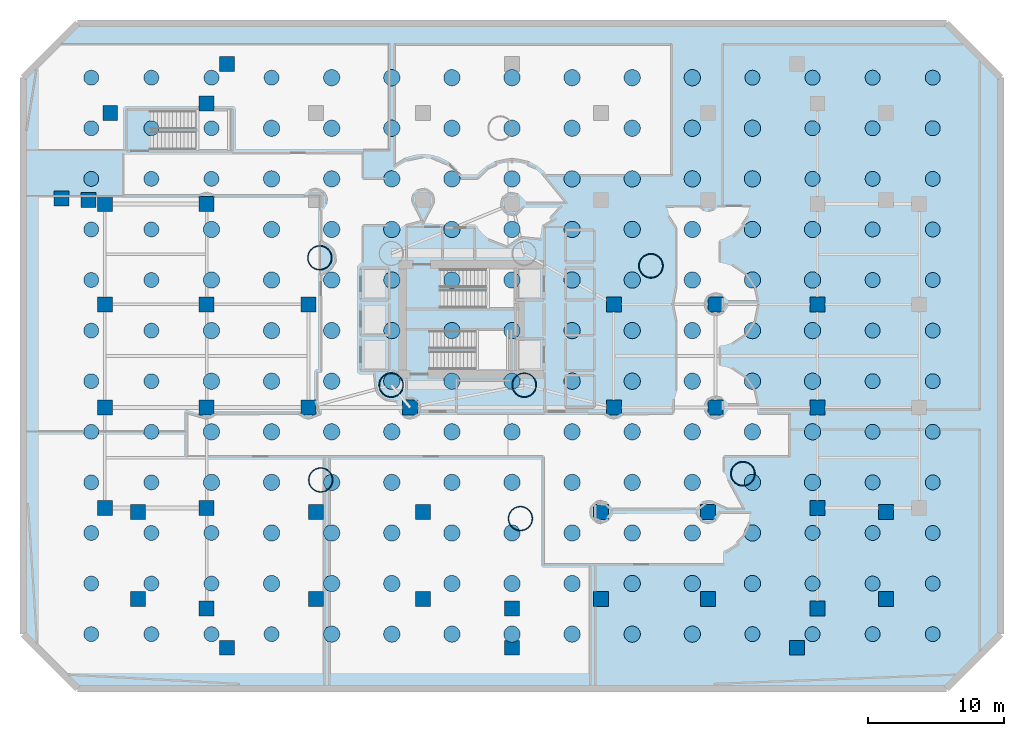
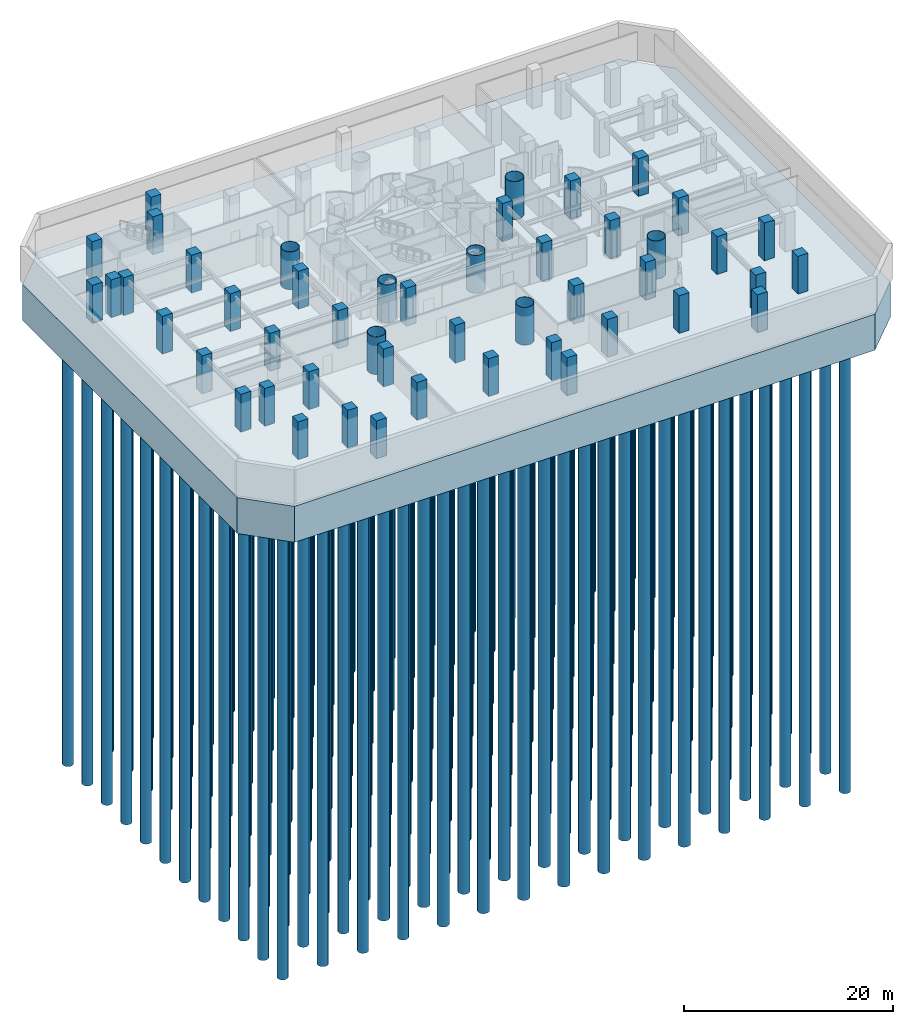
# One storey, part 1 of 13: 180 piles, 48 columns, 1 footing.
"""IFC4 building model written with IfcOpenShell, lengths in metres."""

from ifc_helpers import new_model, si_unit, direction, frame, origin, origin_2d, place, context, subcontext, project, spatial, polyline, rectangle, circle, hollow_circle, outline, extrude, material, material_profile, profile_set, type_object, element, save


model = new_model("IFC4")

# Units and contexts
model_context = context("Model", 3, precision=1e-05, world=origin(), true_north=direction((0.0, 1.0)))
body_context = subcontext(model_context, "Body", "Model", "MODEL_VIEW")
ifc_project = project(units=[si_unit("LENGTHUNIT", "METRE"), si_unit("AREAUNIT", "SQUARE_METRE"), si_unit("VOLUMEUNIT", "CUBIC_METRE"), si_unit("PLANEANGLEUNIT", "RADIAN"), si_unit("MASSUNIT", "GRAM", prefix="KILO")], contexts=[model_context])

# Site, building, storey
site_placement = place(None, origin())
site = spatial("IfcSite", under=ifc_project, at=site_placement, CompositionType="ELEMENT")
building_placement = place(site_placement, origin())
building = spatial("IfcBuilding", under=site, at=building_placement, Name="Qianvela Tower", CompositionType="ELEMENT")
storey_placement = place(building_placement, frame((0.0, 0.0, -10.0)))
storey = spatial("IfcBuildingStorey", under=building, at=storey_placement, Name="B02", CompositionType="ELEMENT", Elevation=-10.0)

# Footing
ifc_material_1 = material(Name="Concrete C50", Category="concrete")
footing_type = type_object("IfcFootingType", Name="FT-RAFT-4200", PredefinedType="PILE_CAP", material=ifc_material_1)
footing_placement = place(storey_placement, frame((0.0, 0.0, -4.60009765625)))
element("IfcFooting", 1, at=footing_placement, inside=storey, type_object=footing_type, Name="B02 Variable-Stiffness Piled Foundation Raft", PredefinedType="PILE_CAP", context=body_context, shape_type="SweptSolid", body=[
    extrude(outline(polyline([(5.5, 1.5), (69.5, 1.5), (73.5, 5.5), (73.5, 46.5), (69.5, 50.5), (5.5, 50.5), (1.5, 46.5), (1.5, 5.5), (5.5, 1.5)])), origin(), (0.0, 0.0, 1.0), 4.2001953125),
])

# Piles
ifc_material_2 = material(Name="Concrete C45", Category="concrete")
ifc_material_profile_1 = material_profile(ifc_material_2, circle(Radius=0.550048828125, at=origin_2d()), Name="BP-1100")
ifc_profile_set_1 = profile_set([ifc_material_profile_1], Name="Concrete C45")
pile_type_1 = type_object("IfcPileType", Name="PL-BP1100", PredefinedType="BORED", material=ifc_profile_set_1)
for number, where, z_axis, x_axis, name in (
    (2, (6.5, 5.5, -4.5), (0.0, 0.0, -1.0), (1.0, 0.0, 0.0), "B02 Post-Grouted Bored Pile PILE-01-01"),
    (3, (6.5, 9.22705078125, -4.5), (0.0, 0.0, -1.0), (1.0, 0.0, 0.0), "B02 Post-Grouted Bored Pile PILE-01-02"),
    (4, (6.5, 12.955078125, -4.5), (0.0, 0.0, -1.0), (1.0, 0.0, 0.0), "B02 Post-Grouted Bored Pile PILE-01-03"),
    (5, (6.5, 16.681884765625, -4.5), (0.0, 0.0, -1.0), (1.0, 0.0, 0.0), "B02 Post-Grouted Bored Pile PILE-01-04"),
    (6, (6.5, 20.408935546875, -4.5), (0.0, 0.0, -1.0), (1.0, 0.0, 0.0), "B02 Post-Grouted Bored Pile PILE-01-05"),
    (7, (6.5, 24.135986328125, -4.5), (0.0, 0.0, -1.0), (1.0, 0.0, 0.0), "B02 Post-Grouted Bored Pile PILE-01-06"),
    (8, (6.5, 27.864013671875, -4.5), (0.0, 0.0, -1.0), (1.0, 0.0, 0.0), "B02 Post-Grouted Bored Pile PILE-01-07"),
    (9, (6.5, 31.591064453125, -4.5), (0.0, 0.0, -1.0), (1.0, 0.0, 0.0), "B02 Post-Grouted Bored Pile PILE-01-08"),
    (10, (6.5, 35.318115234375, -4.5), (0.0, 0.0, -1.0), (1.0, 0.0, 0.0), "B02 Post-Grouted Bored Pile PILE-01-09"),
    (11, (6.5, 39.044921875, -4.5), (0.0, 0.0, -1.0), (1.0, 0.0, 0.0), "B02 Post-Grouted Bored Pile PILE-01-10"),
    (12, (6.5, 42.77294921875, -4.5), (0.0, 0.0, -1.0), (1.0, 0.0, 0.0), "B02 Post-Grouted Bored Pile PILE-01-11"),
    (13, (6.5, 46.5, -4.5), (0.0, 0.0, -1.0), (1.0, 0.0, 0.0), "B02 Post-Grouted Bored Pile PILE-01-12"),
    (14, (10.928955078125, 5.5, -4.5), (0.0, 0.0, -1.0), (1.0, 0.0, 0.0), "B02 Post-Grouted Bored Pile PILE-02-01"),
    (15, (10.928955078125, 9.22705078125, -4.5), (0.0, 0.0, -1.0), (1.0, 0.0, 0.0), "B02 Post-Grouted Bored Pile PILE-02-02"),
    (16, (10.928955078125, 12.955078125, -4.5), (0.0, 0.0, -1.0), (1.0, 0.0, 0.0), "B02 Post-Grouted Bored Pile PILE-02-03"),
    (17, (10.928955078125, 16.681884765625, -4.5), (0.0, 0.0, -1.0), (1.0, 0.0, 0.0), "B02 Post-Grouted Bored Pile PILE-02-04"),
    (18, (10.928955078125, 20.408935546875, -4.5), (0.0, 0.0, -1.0), (1.0, 0.0, 0.0), "B02 Post-Grouted Bored Pile PILE-02-05"),
    (19, (10.928955078125, 24.135986328125, -4.5), (0.0, 0.0, -1.0), (1.0, 0.0, 0.0), "B02 Post-Grouted Bored Pile PILE-02-06"),
    (20, (10.928955078125, 27.864013671875, -4.5), (0.0, 0.0, -1.0), (1.0, 0.0, 0.0), "B02 Post-Grouted Bored Pile PILE-02-07"),
    (21, (10.928955078125, 31.591064453125, -4.5), (0.0, 0.0, -1.0), (1.0, 0.0, 0.0), "B02 Post-Grouted Bored Pile PILE-02-08"),
    (22, (10.928955078125, 35.318115234375, -4.5), (0.0, 0.0, -1.0), (1.0, 0.0, 0.0), "B02 Post-Grouted Bored Pile PILE-02-09"),
    (23, (10.928955078125, 39.044921875, -4.5), (0.0, 0.0, -1.0), (1.0, 0.0, 0.0), "B02 Post-Grouted Bored Pile PILE-02-10"),
    (24, (10.928955078125, 42.77294921875, -4.5), (0.0, 0.0, -1.0), (1.0, 0.0, 0.0), "B02 Post-Grouted Bored Pile PILE-02-11"),
    (25, (10.928955078125, 46.5, -4.5), (0.0, 0.0, -1.0), (1.0, 0.0, 0.0), "B02 Post-Grouted Bored Pile PILE-02-12"),
    (26, (15.35693359375, 5.5, -4.5), (0.0, 0.0, -1.0), (1.0, 0.0, 0.0), "B02 Post-Grouted Bored Pile PILE-03-01"),
    (27, (15.35693359375, 9.22705078125, -4.5), (0.0, 0.0, -1.0), (1.0, 0.0, 0.0), "B02 Post-Grouted Bored Pile PILE-03-02"),
    (28, (15.35693359375, 12.955078125, -4.5), (0.0, 0.0, -1.0), (1.0, 0.0, 0.0), "B02 Post-Grouted Bored Pile PILE-03-03"),
    (29, (15.35693359375, 39.044921875, -4.5), (0.0, 0.0, -1.0), (1.0, 0.0, 0.0), "B02 Post-Grouted Bored Pile PILE-03-10"),
    (30, (15.35693359375, 42.77294921875, -4.5), (0.0, 0.0, -1.0), (1.0, 0.0, 0.0), "B02 Post-Grouted Bored Pile PILE-03-11"),
    (31, (15.35693359375, 46.5, -4.5), (0.0, 0.0, -1.0), (1.0, 0.0, 0.0), "B02 Post-Grouted Bored Pile PILE-03-12"),
    (32, (19.785888671875, 5.5, -4.5), (0.0, 0.0, -1.0), (1.0, 0.0, 0.0), "B02 Post-Grouted Bored Pile PILE-04-01"),
    (33, (19.785888671875, 46.5, -4.5), (0.0, 0.0, -1.0), (1.0, 0.0, 0.0), "B02 Post-Grouted Bored Pile PILE-04-12"),
    (34, (55.214111328125, 5.5, -4.5), (0.0, 0.0, -1.0), (1.0, 0.0, 0.0), "B02 Post-Grouted Bored Pile PILE-12-01"),
    (35, (55.214111328125, 46.5, -4.5), (0.0, 0.0, -1.0), (1.0, 0.0, 0.0), "B02 Post-Grouted Bored Pile PILE-12-12"),
    (36, (59.64306640625, 5.5, -4.5), (0.0, 0.0, -1.0), (1.0, 0.0, 0.0), "B02 Post-Grouted Bored Pile PILE-13-01"),
    (37, (59.64306640625, 9.22705078125, -4.5), (0.0, 0.0, -1.0), (1.0, 0.0, 0.0), "B02 Post-Grouted Bored Pile PILE-13-02"),
    (38, (59.64306640625, 12.955078125, -4.5), (0.0, 0.0, -1.0), (1.0, 0.0, 0.0), "B02 Post-Grouted Bored Pile PILE-13-03"),
    (39, (59.64306640625, 39.044921875, -4.5), (0.0, 0.0, -1.0), (1.0, 0.0, 0.0), "B02 Post-Grouted Bored Pile PILE-13-10"),
    (40, (59.64306640625, 42.77294921875, -4.5), (0.0, 0.0, -1.0), (1.0, 0.0, 0.0), "B02 Post-Grouted Bored Pile PILE-13-11"),
    (41, (59.64306640625, 46.5, -4.5), (0.0, 0.0, -1.0), (1.0, 0.0, 0.0), "B02 Post-Grouted Bored Pile PILE-13-12"),
    (42, (64.071044921875, 5.5, -4.5), (0.0, 0.0, -1.0), (1.0, 0.0, 0.0), "B02 Post-Grouted Bored Pile PILE-14-01"),
    (43, (64.071044921875, 9.22705078125, -4.5), (0.0, 0.0, -1.0), (1.0, 0.0, 0.0), "B02 Post-Grouted Bored Pile PILE-14-02"),
    (44, (64.071044921875, 12.955078125, -4.5), (0.0, 0.0, -1.0), (1.0, 0.0, 0.0), "B02 Post-Grouted Bored Pile PILE-14-03"),
    (45, (64.071044921875, 16.681884765625, -4.5), (0.0, 0.0, -1.0), (1.0, 0.0, 0.0), "B02 Post-Grouted Bored Pile PILE-14-04"),
    (46, (64.071044921875, 20.408935546875, -4.5), (0.0, 0.0, -1.0), (1.0, 0.0, 0.0), "B02 Post-Grouted Bored Pile PILE-14-05"),
    (47, (64.071044921875, 24.135986328125, -4.5), (0.0, 0.0, -1.0), (1.0, 0.0, 0.0), "B02 Post-Grouted Bored Pile PILE-14-06"),
    (48, (64.071044921875, 27.864013671875, -4.5), (0.0, 0.0, -1.0), (1.0, 0.0, 0.0), "B02 Post-Grouted Bored Pile PILE-14-07"),
    (49, (64.071044921875, 31.591064453125, -4.5), (0.0, 0.0, -1.0), (1.0, 0.0, 0.0), "B02 Post-Grouted Bored Pile PILE-14-08"),
    (50, (64.071044921875, 35.318115234375, -4.5), (0.0, 0.0, -1.0), (1.0, 0.0, 0.0), "B02 Post-Grouted Bored Pile PILE-14-09"),
    (51, (64.071044921875, 39.044921875, -4.5), (0.0, 0.0, -1.0), (1.0, 0.0, 0.0), "B02 Post-Grouted Bored Pile PILE-14-10"),
    (52, (64.071044921875, 42.77294921875, -4.5), (0.0, 0.0, -1.0), (1.0, 0.0, 0.0), "B02 Post-Grouted Bored Pile PILE-14-11"),
    (53, (64.071044921875, 46.5, -4.5), (0.0, 0.0, -1.0), (1.0, 0.0, 0.0), "B02 Post-Grouted Bored Pile PILE-14-12"),
    (54, (68.5, 5.5, -4.5), (0.0, 0.0, -1.0), (1.0, 0.0, 0.0), "B02 Post-Grouted Bored Pile PILE-15-01"),
    (55, (68.5, 9.22705078125, -4.5), (0.0, 0.0, -1.0), (1.0, 0.0, 0.0), "B02 Post-Grouted Bored Pile PILE-15-02"),
    (56, (68.5, 12.955078125, -4.5), (0.0, 0.0, -1.0), (1.0, 0.0, 0.0), "B02 Post-Grouted Bored Pile PILE-15-03"),
    (57, (68.5, 16.681884765625, -4.5), (0.0, 0.0, -1.0), (1.0, 0.0, 0.0), "B02 Post-Grouted Bored Pile PILE-15-04"),
    (58, (68.5, 20.408935546875, -4.5), (0.0, 0.0, -1.0), (1.0, 0.0, 0.0), "B02 Post-Grouted Bored Pile PILE-15-05"),
    (59, (68.5, 24.135986328125, -4.5), (0.0, 0.0, -1.0), (1.0, 0.0, 0.0), "B02 Post-Grouted Bored Pile PILE-15-06"),
    (60, (68.5, 27.864013671875, -4.5), (0.0, 0.0, -1.0), (1.0, 0.0, 0.0), "B02 Post-Grouted Bored Pile PILE-15-07"),
    (61, (68.5, 31.591064453125, -4.5), (0.0, 0.0, -1.0), (1.0, 0.0, 0.0), "B02 Post-Grouted Bored Pile PILE-15-08"),
    (62, (68.5, 35.318115234375, -4.5), (0.0, 0.0, -1.0), (1.0, 0.0, 0.0), "B02 Post-Grouted Bored Pile PILE-15-09"),
    (63, (68.5, 39.044921875, -4.5), (0.0, 0.0, -1.0), (1.0, 0.0, 0.0), "B02 Post-Grouted Bored Pile PILE-15-10"),
    (64, (68.5, 42.77294921875, -4.5), (0.0, 0.0, -1.0), (1.0, 0.0, 0.0), "B02 Post-Grouted Bored Pile PILE-15-11"),
    (65, (68.5, 46.5, -4.5), (0.0, 0.0, -1.0), (1.0, 0.0, 0.0), "B02 Post-Grouted Bored Pile PILE-15-12"),
):
    element("IfcPile", number, at=place(storey_placement, frame(where, z_axis=z_axis, x_axis=x_axis)), inside=storey, type_object=pile_type_1, Name=name, PredefinedType="BORED", context=body_context, shape_type="SweptSolid", body=[
        extrude(circle(Radius=0.550048828125, at=origin_2d()), origin(), (0.0, 0.0, 1.0), 53.5),
    ])
ifc_material_3 = material(Name="Concrete C45", Category="concrete")
ifc_material_profile_2 = material_profile(ifc_material_3, circle(Radius=0.60009765625, at=origin_2d()), Name="BP-1200")
ifc_profile_set_2 = profile_set([ifc_material_profile_2], Name="Concrete C45")
pile_type_2 = type_object("IfcPileType", Name="PL-BP1200", PredefinedType="BORED", material=ifc_profile_set_2)
for number, where, z_axis, x_axis, name in (
    (66, (15.35693359375, 16.681884765625, -4.5), (0.0, 0.0, -1.0), (1.0, 0.0, 0.0), "B02 Post-Grouted Bored Pile PILE-03-04"),
    (67, (15.35693359375, 20.408935546875, -4.5), (0.0, 0.0, -1.0), (1.0, 0.0, 0.0), "B02 Post-Grouted Bored Pile PILE-03-05"),
    (68, (15.35693359375, 24.135986328125, -4.5), (0.0, 0.0, -1.0), (1.0, 0.0, 0.0), "B02 Post-Grouted Bored Pile PILE-03-06"),
    (69, (15.35693359375, 27.864013671875, -4.5), (0.0, 0.0, -1.0), (1.0, 0.0, 0.0), "B02 Post-Grouted Bored Pile PILE-03-07"),
    (70, (15.35693359375, 31.591064453125, -4.5), (0.0, 0.0, -1.0), (1.0, 0.0, 0.0), "B02 Post-Grouted Bored Pile PILE-03-08"),
    (71, (15.35693359375, 35.318115234375, -4.5), (0.0, 0.0, -1.0), (1.0, 0.0, 0.0), "B02 Post-Grouted Bored Pile PILE-03-09"),
    (72, (19.785888671875, 9.22705078125, -4.5), (0.0, 0.0, -1.0), (1.0, 0.0, 0.0), "B02 Post-Grouted Bored Pile PILE-04-02"),
    (73, (19.785888671875, 12.955078125, -4.5), (0.0, 0.0, -1.0), (1.0, 0.0, 0.0), "B02 Post-Grouted Bored Pile PILE-04-03"),
    (74, (19.785888671875, 16.681884765625, -4.5), (0.0, 0.0, -1.0), (1.0, 0.0, 0.0), "B02 Post-Grouted Bored Pile PILE-04-04"),
    (75, (19.785888671875, 20.408935546875, -4.5), (0.0, 0.0, -1.0), (1.0, 0.0, 0.0), "B02 Post-Grouted Bored Pile PILE-04-05"),
    (76, (19.785888671875, 24.135986328125, -4.5), (0.0, 0.0, -1.0), (1.0, 0.0, 0.0), "B02 Post-Grouted Bored Pile PILE-04-06"),
    (77, (19.785888671875, 27.864013671875, -4.5), (0.0, 0.0, -1.0), (1.0, 0.0, 0.0), "B02 Post-Grouted Bored Pile PILE-04-07"),
    (78, (19.785888671875, 31.591064453125, -4.5), (0.0, 0.0, -1.0), (1.0, 0.0, 0.0), "B02 Post-Grouted Bored Pile PILE-04-08"),
    (79, (19.785888671875, 35.318115234375, -4.5), (0.0, 0.0, -1.0), (1.0, 0.0, 0.0), "B02 Post-Grouted Bored Pile PILE-04-09"),
    (80, (19.785888671875, 39.044921875, -4.5), (0.0, 0.0, -1.0), (1.0, 0.0, 0.0), "B02 Post-Grouted Bored Pile PILE-04-10"),
    (81, (19.785888671875, 42.77294921875, -4.5), (0.0, 0.0, -1.0), (1.0, 0.0, 0.0), "B02 Post-Grouted Bored Pile PILE-04-11"),
    (82, (24.214111328125, 5.5, -4.5), (0.0, 0.0, -1.0), (1.0, 0.0, 0.0), "B02 Post-Grouted Bored Pile PILE-05-01"),
    (83, (24.214111328125, 9.22705078125, -4.5), (0.0, 0.0, -1.0), (1.0, 0.0, 0.0), "B02 Post-Grouted Bored Pile PILE-05-02"),
    (84, (24.214111328125, 12.955078125, -4.5), (0.0, 0.0, -1.0), (1.0, 0.0, 0.0), "B02 Post-Grouted Bored Pile PILE-05-03"),
    (85, (24.214111328125, 16.681884765625, -4.5), (0.0, 0.0, -1.0), (1.0, 0.0, 0.0), "B02 Post-Grouted Bored Pile PILE-05-04"),
    (86, (24.214111328125, 20.408935546875, -4.5), (0.0, 0.0, -1.0), (1.0, 0.0, 0.0), "B02 Post-Grouted Bored Pile PILE-05-05"),
    (87, (24.214111328125, 24.135986328125, -4.5), (0.0, 0.0, -1.0), (1.0, 0.0, 0.0), "B02 Post-Grouted Bored Pile PILE-05-06"),
    (88, (24.214111328125, 27.864013671875, -4.5), (0.0, 0.0, -1.0), (1.0, 0.0, 0.0), "B02 Post-Grouted Bored Pile PILE-05-07"),
    (89, (24.214111328125, 31.591064453125, -4.5), (0.0, 0.0, -1.0), (1.0, 0.0, 0.0), "B02 Post-Grouted Bored Pile PILE-05-08"),
    (90, (24.214111328125, 35.318115234375, -4.5), (0.0, 0.0, -1.0), (1.0, 0.0, 0.0), "B02 Post-Grouted Bored Pile PILE-05-09"),
    (91, (24.214111328125, 39.044921875, -4.5), (0.0, 0.0, -1.0), (1.0, 0.0, 0.0), "B02 Post-Grouted Bored Pile PILE-05-10"),
    (92, (24.214111328125, 42.77294921875, -4.5), (0.0, 0.0, -1.0), (1.0, 0.0, 0.0), "B02 Post-Grouted Bored Pile PILE-05-11"),
    (93, (24.214111328125, 46.5, -4.5), (0.0, 0.0, -1.0), (1.0, 0.0, 0.0), "B02 Post-Grouted Bored Pile PILE-05-12"),
    (94, (28.64306640625, 5.5, -4.5), (0.0, 0.0, -1.0), (1.0, 0.0, 0.0), "B02 Post-Grouted Bored Pile PILE-06-01"),
    (95, (28.64306640625, 9.22705078125, -4.5), (0.0, 0.0, -1.0), (1.0, 0.0, 0.0), "B02 Post-Grouted Bored Pile PILE-06-02"),
    (96, (28.64306640625, 12.955078125, -4.5), (0.0, 0.0, -1.0), (1.0, 0.0, 0.0), "B02 Post-Grouted Bored Pile PILE-06-03"),
    (97, (28.64306640625, 16.681884765625, -4.5), (0.0, 0.0, -1.0), (1.0, 0.0, 0.0), "B02 Post-Grouted Bored Pile PILE-06-04"),
    (98, (28.64306640625, 20.408935546875, -4.5), (0.0, 0.0, -1.0), (1.0, 0.0, 0.0), "B02 Post-Grouted Bored Pile PILE-06-05"),
    (99, (28.64306640625, 24.135986328125, -4.5), (0.0, 0.0, -1.0), (1.0, 0.0, 0.0), "B02 Post-Grouted Bored Pile PILE-06-06"),
    (100, (28.64306640625, 27.864013671875, -4.5), (0.0, 0.0, -1.0), (1.0, 0.0, 0.0), "B02 Post-Grouted Bored Pile PILE-06-07"),
    (101, (28.64306640625, 31.591064453125, -4.5), (0.0, 0.0, -1.0), (1.0, 0.0, 0.0), "B02 Post-Grouted Bored Pile PILE-06-08"),
    (102, (28.64306640625, 35.318115234375, -4.5), (0.0, 0.0, -1.0), (1.0, 0.0, 0.0), "B02 Post-Grouted Bored Pile PILE-06-09"),
    (103, (28.64306640625, 39.044921875, -4.5), (0.0, 0.0, -1.0), (1.0, 0.0, 0.0), "B02 Post-Grouted Bored Pile PILE-06-10"),
    (104, (28.64306640625, 42.77294921875, -4.5), (0.0, 0.0, -1.0), (1.0, 0.0, 0.0), "B02 Post-Grouted Bored Pile PILE-06-11"),
    (105, (28.64306640625, 46.5, -4.5), (0.0, 0.0, -1.0), (1.0, 0.0, 0.0), "B02 Post-Grouted Bored Pile PILE-06-12"),
    (106, (33.071044921875, 5.5, -4.5), (0.0, 0.0, -1.0), (1.0, 0.0, 0.0), "B02 Post-Grouted Bored Pile PILE-07-01"),
    (107, (33.071044921875, 9.22705078125, -4.5), (0.0, 0.0, -1.0), (1.0, 0.0, 0.0), "B02 Post-Grouted Bored Pile PILE-07-02"),
    (108, (33.071044921875, 12.955078125, -4.5), (0.0, 0.0, -1.0), (1.0, 0.0, 0.0), "B02 Post-Grouted Bored Pile PILE-07-03"),
    (109, (33.071044921875, 16.681884765625, -4.5), (0.0, 0.0, -1.0), (1.0, 0.0, 0.0), "B02 Post-Grouted Bored Pile PILE-07-04"),
    (110, (33.071044921875, 20.408935546875, -4.5), (0.0, 0.0, -1.0), (1.0, 0.0, 0.0), "B02 Post-Grouted Bored Pile PILE-07-05"),
    (111, (33.071044921875, 24.135986328125, -4.5), (0.0, 0.0, -1.0), (1.0, 0.0, 0.0), "B02 Post-Grouted Bored Pile PILE-07-06"),
    (112, (33.071044921875, 27.864013671875, -4.5), (0.0, 0.0, -1.0), (1.0, 0.0, 0.0), "B02 Post-Grouted Bored Pile PILE-07-07"),
    (113, (33.071044921875, 31.591064453125, -4.5), (0.0, 0.0, -1.0), (1.0, 0.0, 0.0), "B02 Post-Grouted Bored Pile PILE-07-08"),
    (114, (33.071044921875, 35.318115234375, -4.5), (0.0, 0.0, -1.0), (1.0, 0.0, 0.0), "B02 Post-Grouted Bored Pile PILE-07-09"),
    (115, (33.071044921875, 39.044921875, -4.5), (0.0, 0.0, -1.0), (1.0, 0.0, 0.0), "B02 Post-Grouted Bored Pile PILE-07-10"),
    (116, (33.071044921875, 42.77294921875, -4.5), (0.0, 0.0, -1.0), (1.0, 0.0, 0.0), "B02 Post-Grouted Bored Pile PILE-07-11"),
    (117, (33.071044921875, 46.5, -4.5), (0.0, 0.0, -1.0), (1.0, 0.0, 0.0), "B02 Post-Grouted Bored Pile PILE-07-12"),
    (118, (37.5, 5.5, -4.5), (0.0, 0.0, -1.0), (1.0, 0.0, 0.0), "B02 Post-Grouted Bored Pile PILE-08-01"),
    (119, (37.5, 9.22705078125, -4.5), (0.0, 0.0, -1.0), (1.0, 0.0, 0.0), "B02 Post-Grouted Bored Pile PILE-08-02"),
    (120, (37.5, 12.955078125, -4.5), (0.0, 0.0, -1.0), (1.0, 0.0, 0.0), "B02 Post-Grouted Bored Pile PILE-08-03"),
    (121, (37.5, 16.681884765625, -4.5), (0.0, 0.0, -1.0), (1.0, 0.0, 0.0), "B02 Post-Grouted Bored Pile PILE-08-04"),
    (122, (37.5, 20.408935546875, -4.5), (0.0, 0.0, -1.0), (1.0, 0.0, 0.0), "B02 Post-Grouted Bored Pile PILE-08-05"),
    (123, (37.5, 24.135986328125, -4.5), (0.0, 0.0, -1.0), (1.0, 0.0, 0.0), "B02 Post-Grouted Bored Pile PILE-08-06"),
    (124, (37.5, 27.864013671875, -4.5), (0.0, 0.0, -1.0), (1.0, 0.0, 0.0), "B02 Post-Grouted Bored Pile PILE-08-07"),
    (125, (37.5, 31.591064453125, -4.5), (0.0, 0.0, -1.0), (1.0, 0.0, 0.0), "B02 Post-Grouted Bored Pile PILE-08-08"),
    (126, (37.5, 35.318115234375, -4.5), (0.0, 0.0, -1.0), (1.0, 0.0, 0.0), "B02 Post-Grouted Bored Pile PILE-08-09"),
    (127, (37.5, 39.044921875, -4.5), (0.0, 0.0, -1.0), (1.0, 0.0, 0.0), "B02 Post-Grouted Bored Pile PILE-08-10"),
    (128, (37.5, 42.77294921875, -4.5), (0.0, 0.0, -1.0), (1.0, 0.0, 0.0), "B02 Post-Grouted Bored Pile PILE-08-11"),
    (129, (37.5, 46.5, -4.5), (0.0, 0.0, -1.0), (1.0, 0.0, 0.0), "B02 Post-Grouted Bored Pile PILE-08-12"),
    (130, (41.928955078125, 5.5, -4.5), (0.0, 0.0, -1.0), (1.0, 0.0, 0.0), "B02 Post-Grouted Bored Pile PILE-09-01"),
    (131, (41.928955078125, 9.22705078125, -4.5), (0.0, 0.0, -1.0), (1.0, 0.0, 0.0), "B02 Post-Grouted Bored Pile PILE-09-02"),
    (132, (41.928955078125, 12.955078125, -4.5), (0.0, 0.0, -1.0), (1.0, 0.0, 0.0), "B02 Post-Grouted Bored Pile PILE-09-03"),
    (133, (41.928955078125, 16.681884765625, -4.5), (0.0, 0.0, -1.0), (1.0, 0.0, 0.0), "B02 Post-Grouted Bored Pile PILE-09-04"),
    (134, (41.928955078125, 20.408935546875, -4.5), (0.0, 0.0, -1.0), (1.0, 0.0, 0.0), "B02 Post-Grouted Bored Pile PILE-09-05"),
    (135, (41.928955078125, 24.135986328125, -4.5), (0.0, 0.0, -1.0), (1.0, 0.0, 0.0), "B02 Post-Grouted Bored Pile PILE-09-06"),
    (136, (41.928955078125, 27.864013671875, -4.5), (0.0, 0.0, -1.0), (1.0, 0.0, 0.0), "B02 Post-Grouted Bored Pile PILE-09-07"),
    (137, (41.928955078125, 31.591064453125, -4.5), (0.0, 0.0, -1.0), (1.0, 0.0, 0.0), "B02 Post-Grouted Bored Pile PILE-09-08"),
    (138, (41.928955078125, 35.318115234375, -4.5), (0.0, 0.0, -1.0), (1.0, 0.0, 0.0), "B02 Post-Grouted Bored Pile PILE-09-09"),
    (139, (41.928955078125, 39.044921875, -4.5), (0.0, 0.0, -1.0), (1.0, 0.0, 0.0), "B02 Post-Grouted Bored Pile PILE-09-10"),
    (140, (41.928955078125, 42.77294921875, -4.5), (0.0, 0.0, -1.0), (1.0, 0.0, 0.0), "B02 Post-Grouted Bored Pile PILE-09-11"),
    (141, (41.928955078125, 46.5, -4.5), (0.0, 0.0, -1.0), (1.0, 0.0, 0.0), "B02 Post-Grouted Bored Pile PILE-09-12"),
    (142, (46.35693359375, 5.5, -4.5), (0.0, 0.0, -1.0), (1.0, 0.0, 0.0), "B02 Post-Grouted Bored Pile PILE-10-01"),
    (143, (46.35693359375, 9.22705078125, -4.5), (0.0, 0.0, -1.0), (1.0, 0.0, 0.0), "B02 Post-Grouted Bored Pile PILE-10-02"),
    (144, (46.35693359375, 12.955078125, -4.5), (0.0, 0.0, -1.0), (1.0, 0.0, 0.0), "B02 Post-Grouted Bored Pile PILE-10-03"),
    (145, (46.35693359375, 16.681884765625, -4.5), (0.0, 0.0, -1.0), (1.0, 0.0, 0.0), "B02 Post-Grouted Bored Pile PILE-10-04"),
    (146, (46.35693359375, 20.408935546875, -4.5), (0.0, 0.0, -1.0), (1.0, 0.0, 0.0), "B02 Post-Grouted Bored Pile PILE-10-05"),
    (147, (46.35693359375, 24.135986328125, -4.5), (0.0, 0.0, -1.0), (1.0, 0.0, 0.0), "B02 Post-Grouted Bored Pile PILE-10-06"),
    (148, (46.35693359375, 27.864013671875, -4.5), (0.0, 0.0, -1.0), (1.0, 0.0, 0.0), "B02 Post-Grouted Bored Pile PILE-10-07"),
    (149, (46.35693359375, 31.591064453125, -4.5), (0.0, 0.0, -1.0), (1.0, 0.0, 0.0), "B02 Post-Grouted Bored Pile PILE-10-08"),
    (150, (46.35693359375, 35.318115234375, -4.5), (0.0, 0.0, -1.0), (1.0, 0.0, 0.0), "B02 Post-Grouted Bored Pile PILE-10-09"),
    (151, (46.35693359375, 39.044921875, -4.5), (0.0, 0.0, -1.0), (1.0, 0.0, 0.0), "B02 Post-Grouted Bored Pile PILE-10-10"),
    (152, (46.35693359375, 42.77294921875, -4.5), (0.0, 0.0, -1.0), (1.0, 0.0, 0.0), "B02 Post-Grouted Bored Pile PILE-10-11"),
    (153, (46.35693359375, 46.5, -4.5), (0.0, 0.0, -1.0), (1.0, 0.0, 0.0), "B02 Post-Grouted Bored Pile PILE-10-12"),
    (154, (50.785888671875, 5.5, -4.5), (0.0, 0.0, -1.0), (1.0, 0.0, 0.0), "B02 Post-Grouted Bored Pile PILE-11-01"),
    (155, (50.785888671875, 9.22705078125, -4.5), (0.0, 0.0, -1.0), (1.0, 0.0, 0.0), "B02 Post-Grouted Bored Pile PILE-11-02"),
    (156, (50.785888671875, 12.955078125, -4.5), (0.0, 0.0, -1.0), (1.0, 0.0, 0.0), "B02 Post-Grouted Bored Pile PILE-11-03"),
    (157, (50.785888671875, 16.681884765625, -4.5), (0.0, 0.0, -1.0), (1.0, 0.0, 0.0), "B02 Post-Grouted Bored Pile PILE-11-04"),
    (158, (50.785888671875, 20.408935546875, -4.5), (0.0, 0.0, -1.0), (1.0, 0.0, 0.0), "B02 Post-Grouted Bored Pile PILE-11-05"),
    (159, (50.785888671875, 24.135986328125, -4.5), (0.0, 0.0, -1.0), (1.0, 0.0, 0.0), "B02 Post-Grouted Bored Pile PILE-11-06"),
    (160, (50.785888671875, 27.864013671875, -4.5), (0.0, 0.0, -1.0), (1.0, 0.0, 0.0), "B02 Post-Grouted Bored Pile PILE-11-07"),
    (161, (50.785888671875, 31.591064453125, -4.5), (0.0, 0.0, -1.0), (1.0, 0.0, 0.0), "B02 Post-Grouted Bored Pile PILE-11-08"),
    (162, (50.785888671875, 35.318115234375, -4.5), (0.0, 0.0, -1.0), (1.0, 0.0, 0.0), "B02 Post-Grouted Bored Pile PILE-11-09"),
    (163, (50.785888671875, 39.044921875, -4.5), (0.0, 0.0, -1.0), (1.0, 0.0, 0.0), "B02 Post-Grouted Bored Pile PILE-11-10"),
    (164, (50.785888671875, 42.77294921875, -4.5), (0.0, 0.0, -1.0), (1.0, 0.0, 0.0), "B02 Post-Grouted Bored Pile PILE-11-11"),
    (165, (50.785888671875, 46.5, -4.5), (0.0, 0.0, -1.0), (1.0, 0.0, 0.0), "B02 Post-Grouted Bored Pile PILE-11-12"),
    (166, (55.214111328125, 9.22705078125, -4.5), (0.0, 0.0, -1.0), (1.0, 0.0, 0.0), "B02 Post-Grouted Bored Pile PILE-12-02"),
    (167, (55.214111328125, 12.955078125, -4.5), (0.0, 0.0, -1.0), (1.0, 0.0, 0.0), "B02 Post-Grouted Bored Pile PILE-12-03"),
    (168, (55.214111328125, 16.681884765625, -4.5), (0.0, 0.0, -1.0), (1.0, 0.0, 0.0), "B02 Post-Grouted Bored Pile PILE-12-04"),
    (169, (55.214111328125, 20.408935546875, -4.5), (0.0, 0.0, -1.0), (1.0, 0.0, 0.0), "B02 Post-Grouted Bored Pile PILE-12-05"),
    (170, (55.214111328125, 24.135986328125, -4.5), (0.0, 0.0, -1.0), (1.0, 0.0, 0.0), "B02 Post-Grouted Bored Pile PILE-12-06"),
    (171, (55.214111328125, 27.864013671875, -4.5), (0.0, 0.0, -1.0), (1.0, 0.0, 0.0), "B02 Post-Grouted Bored Pile PILE-12-07"),
    (172, (55.214111328125, 31.591064453125, -4.5), (0.0, 0.0, -1.0), (1.0, 0.0, 0.0), "B02 Post-Grouted Bored Pile PILE-12-08"),
    (173, (55.214111328125, 35.318115234375, -4.5), (0.0, 0.0, -1.0), (1.0, 0.0, 0.0), "B02 Post-Grouted Bored Pile PILE-12-09"),
    (174, (55.214111328125, 39.044921875, -4.5), (0.0, 0.0, -1.0), (1.0, 0.0, 0.0), "B02 Post-Grouted Bored Pile PILE-12-10"),
    (175, (55.214111328125, 42.77294921875, -4.5), (0.0, 0.0, -1.0), (1.0, 0.0, 0.0), "B02 Post-Grouted Bored Pile PILE-12-11"),
    (176, (59.64306640625, 16.681884765625, -4.5), (0.0, 0.0, -1.0), (1.0, 0.0, 0.0), "B02 Post-Grouted Bored Pile PILE-13-04"),
    (177, (59.64306640625, 20.408935546875, -4.5), (0.0, 0.0, -1.0), (1.0, 0.0, 0.0), "B02 Post-Grouted Bored Pile PILE-13-05"),
    (178, (59.64306640625, 24.135986328125, -4.5), (0.0, 0.0, -1.0), (1.0, 0.0, 0.0), "B02 Post-Grouted Bored Pile PILE-13-06"),
    (179, (59.64306640625, 27.864013671875, -4.5), (0.0, 0.0, -1.0), (1.0, 0.0, 0.0), "B02 Post-Grouted Bored Pile PILE-13-07"),
    (180, (59.64306640625, 31.591064453125, -4.5), (0.0, 0.0, -1.0), (1.0, 0.0, 0.0), "B02 Post-Grouted Bored Pile PILE-13-08"),
    (181, (59.64306640625, 35.318115234375, -4.5), (0.0, 0.0, -1.0), (1.0, 0.0, 0.0), "B02 Post-Grouted Bored Pile PILE-13-09"),
):
    element("IfcPile", number, at=place(storey_placement, frame(where, z_axis=z_axis, x_axis=x_axis)), inside=storey, type_object=pile_type_2, Name=name, PredefinedType="BORED", context=body_context, shape_type="SweptSolid", body=[
        extrude(circle(Radius=0.60009765625, at=origin_2d()), origin(), (0.0, 0.0, 1.0), 53.5),
    ])

# Columns
ifc_material_4 = material(Name="Steel Q420GJC", Category="steel")
ifc_material_profile_3 = material_profile(ifc_material_4, hollow_circle(Radius=0.89990234375, WallThickness=0.044921875, at=origin_2d()), Name="CFT-1800x45")
ifc_profile_set_3 = profile_set([ifc_material_profile_3], Name="Steel Q420GJC")
column_type_1 = type_object("IfcColumnType", Name="COL-CFT-1800x45", PredefinedType="COLUMN", material=ifc_profile_set_3)
for number, where, z_axis, x_axis, name in (
    (182, (28.60009765625, 23.85009765625, 0.0), (0.0, 0.0, 1.0), (1.0, 0.0, 0.0), "B02 Core Corner Mega-Column CC-SW"),
    (183, (38.39990234375, 23.85009765625, 0.0), (0.0, 0.0, 1.0), (1.0, 0.0, 0.0), "B02 Core Corner Mega-Column CC-SE"),
    (184, (54.511962890625, 17.31689453125, 0.0), (0.0, 0.0, 1.0), (1.0, 0.0, 0.0), "B02 Tower Base CFT Mega-Column C1"),
    (185, (47.736083984375, 32.636962890625, 0.0), (0.0, 0.0, 1.0), (1.0, 0.0, 0.0), "B02 Tower Base CFT Mega-Column C2"),
    (186, (23.337890625, 33.22802734375, 0.0), (0.0, 0.0, 1.0), (1.0, 0.0, 0.0), "B02 Tower Base CFT Mega-Column C4"),
    (187, (23.404052734375, 16.860107421875, 0.0), (0.0, 0.0, 1.0), (1.0, 0.0, 0.0), "B02 Tower Base CFT Mega-Column C5"),
    (188, (38.1201171875, 14.01611328125, 0.0), (0.0, 0.0, 1.0), (1.0, 0.0, 0.0), "B02 Tower Base CFT Mega-Column C6"),
):
    element("IfcColumn", number, at=place(storey_placement, frame(where, z_axis=z_axis, x_axis=x_axis)), inside=storey, type_object=column_type_1, Name=name, PredefinedType="COLUMN", context=body_context, shape_type="SweptSolid", body=[
        extrude(hollow_circle(Radius=0.89990234375, WallThickness=0.044921875, at=origin_2d()), origin(), (0.0, 0.0, 1.0), 4.39990234375),
    ])
ifc_material_5 = material(Name="Concrete C60", Category="concrete")
ifc_material_profile_4 = material_profile(ifc_material_5, rectangle(XDim=1.10009765625, YDim=1.10009765625, at=origin_2d()), Name="RC-COL-1100x1100")
ifc_profile_set_4 = profile_set([ifc_material_profile_4], Name="Concrete C60")
column_type_2 = type_object("IfcColumnType", Name="COL-RC-1100", PredefinedType="COLUMN", material=ifc_profile_set_4)
for number, where, z_axis, x_axis, name in (
    (189, (9.955322265625, 8.10009765625, 0.0), (0.0, 0.0, 1.0), (1.0, 0.0, 0.0), "B02 Concourse Colonnade Column VC-S1-L-B1"),
    (190, (9.955322265625, 14.5, 0.0), (0.0, 0.0, 1.0), (1.0, 0.0, 0.0), "B02 Concourse Colonnade Column VC-S1-L-B2"),
    (191, (23.044677734375, 8.10009765625, 0.0), (0.0, 0.0, 1.0), (1.0, 0.0, 0.0), "B02 Concourse Colonnade Column VC-S1-R-B1"),
    (192, (23.044677734375, 14.5, 0.0), (0.0, 0.0, 1.0), (1.0, 0.0, 0.0), "B02 Concourse Colonnade Column VC-S1-R-B2"),
    (193, (30.955322265625, 8.10009765625, 0.0), (0.0, 0.0, 1.0), (1.0, 0.0, 0.0), "B02 Concourse Colonnade Column VC-S2-L-B1"),
    (194, (30.955322265625, 14.5, 0.0), (0.0, 0.0, 1.0), (1.0, 0.0, 0.0), "B02 Concourse Colonnade Column VC-S2-L-B2"),
    (195, (44.044677734375, 8.10009765625, 0.0), (0.0, 0.0, 1.0), (1.0, 0.0, 0.0), "B02 Concourse Colonnade Column VC-S2-R-B1"),
    (196, (44.044677734375, 14.5, 0.0), (0.0, 0.0, 1.0), (1.0, 0.0, 0.0), "B02 Concourse Colonnade Column VC-S2-R-B2"),
    (197, (51.955322265625, 8.10009765625, 0.0), (0.0, 0.0, 1.0), (1.0, 0.0, 0.0), "B02 Concourse Colonnade Column VC-S3-L-B1"),
    (198, (51.955322265625, 14.5, 0.0), (0.0, 0.0, 1.0), (1.0, 0.0, 0.0), "B02 Concourse Colonnade Column VC-S3-L-B2"),
    (199, (65.044677734375, 8.10009765625, 0.0), (0.0, 0.0, 1.0), (1.0, 0.0, 0.0), "B02 Concourse Colonnade Column VC-S3-R-B1"),
    (200, (65.044677734375, 14.5, 0.0), (0.0, 0.0, 1.0), (1.0, 0.0, 0.0), "B02 Concourse Colonnade Column VC-S3-R-B2"),
    (201, (7.89990234375, 43.89990234375, 0.0), (0.0, 0.0, 1.0), (1.0, 0.0, 0.0), "B02 Concourse Colonnade Column VC-N1-L-B1"),
    (202, (6.300048828125, 37.5, 0.0), (0.0, 0.0, 1.0), (1.0, 0.0, 0.0), "B02 Concourse Colonnade Column VC-N1-L-B2"),
    (203, (7.5, 14.800048828125, 0.0), (0.0, 0.0, 1.0), (1.0, 0.0, 0.0), "B02 Podium Grid Column P01"),
    (204, (7.5, 22.199951171875, 0.0), (0.0, 0.0, 1.0), (1.0, 0.0, 0.0), "B02 Podium Grid Column P02"),
    (205, (7.5, 29.800048828125, 0.0), (0.0, 0.0, 1.0), (1.0, 0.0, 0.0), "B02 Podium Grid Column P03"),
    (206, (7.5, 37.199951171875, 0.0), (0.0, 0.0, 1.0), (1.0, 0.0, 0.0), "B02 Podium Grid Column P04"),
    (207, (15.0, 7.39990234375, 0.0), (0.0, 0.0, 1.0), (1.0, 0.0, 0.0), "B02 Podium Grid Column P05"),
    (208, (15.0, 14.800048828125, 0.0), (0.0, 0.0, 1.0), (1.0, 0.0, 0.0), "B02 Podium Grid Column P06"),
    (209, (15.0, 22.199951171875, 0.0), (0.0, 0.0, 1.0), (1.0, 0.0, 0.0), "B02 Podium Grid Column P07"),
    (210, (15.0, 29.800048828125, 0.0), (0.0, 0.0, 1.0), (1.0, 0.0, 0.0), "B02 Podium Grid Column P08"),
    (211, (15.0, 37.199951171875, 0.0), (0.0, 0.0, 1.0), (1.0, 0.0, 0.0), "B02 Podium Grid Column P09"),
    (212, (15.0, 44.60009765625, 0.0), (0.0, 0.0, 1.0), (1.0, 0.0, 0.0), "B02 Podium Grid Column P10"),
    (213, (22.5, 22.199951171875, 0.0), (0.0, 0.0, 1.0), (1.0, 0.0, 0.0), "B02 Podium Grid Column P13"),
    (214, (22.5, 29.800048828125, 0.0), (0.0, 0.0, 1.0), (1.0, 0.0, 0.0), "B02 Podium Grid Column P14"),
    (215, (30.0, 22.199951171875, 0.0), (0.0, 0.0, 1.0), (1.0, 0.0, 0.0), "B02 Podium Grid Column P19"),
    (216, (37.5, 7.39990234375, 0.0), (0.0, 0.0, 1.0), (1.0, 0.0, 0.0), "B02 Podium Grid Column P22"),
    (217, (45.0, 22.199951171875, 0.0), (0.0, 0.0, 1.0), (1.0, 0.0, 0.0), "B02 Podium Grid Column P28"),
    (218, (45.0, 29.800048828125, 0.0), (0.0, 0.0, 1.0), (1.0, 0.0, 0.0), "B02 Podium Grid Column P29"),
    (219, (52.5, 22.199951171875, 0.0), (0.0, 0.0, 1.0), (1.0, 0.0, 0.0), "B02 Podium Grid Column P34"),
    (220, (52.5, 29.800048828125, 0.0), (0.0, 0.0, 1.0), (1.0, 0.0, 0.0), "B02 Podium Grid Column P35"),
    (221, (60.0, 7.39990234375, 0.0), (0.0, 0.0, 1.0), (1.0, 0.0, 0.0), "B02 Podium Grid Column P38"),
    (222, (60.0, 14.800048828125, 0.0), (0.0, 0.0, 1.0), (1.0, 0.0, 0.0), "B02 Podium Grid Column P39"),
    (223, (60.0, 22.199951171875, 0.0), (0.0, 0.0, 1.0), (1.0, 0.0, 0.0), "B02 Podium Grid Column P40"),
    (224, (60.0, 29.800048828125, 0.0), (0.0, 0.0, 1.0), (1.0, 0.0, 0.0), "B02 Podium Grid Column P41"),
    (225, (16.5, 4.5, 0.0), (0.0, 0.0, 1.0), (1.0, 0.0, 0.0), "B02 Concourse V-Column Pier VC-S1"),
    (226, (37.5, 4.5, 0.0), (0.0, 0.0, 1.0), (1.0, 0.0, 0.0), "B02 Concourse V-Column Pier VC-S2"),
    (227, (58.5, 4.5, 0.0), (0.0, 0.0, 1.0), (1.0, 0.0, 0.0), "B02 Concourse V-Column Pier VC-S3"),
    (228, (16.5, 47.5, 0.0), (0.0, 0.0, 1.0), (1.0, 0.0, 0.0), "B02 Concourse V-Column Pier VC-N1"),
    (229, (4.302978515625, 37.60009765625, 0.0), (0.0, 0.0, 1.0), (1.0, 0.0, 0.0), "B02 Concourse Back-Anchor Column VC-N1-L"),
):
    element("IfcColumn", number, at=place(storey_placement, frame(where, z_axis=z_axis, x_axis=x_axis)), inside=storey, type_object=column_type_2, Name=name, PredefinedType="COLUMN", context=body_context, shape_type="SweptSolid", body=[
        extrude(rectangle(XDim=1.10009765625, YDim=1.10009765625, at=origin_2d()), origin(), (0.0, 0.0, 1.0), 4.39990234375),
    ])

save(model, "model.ifc")
